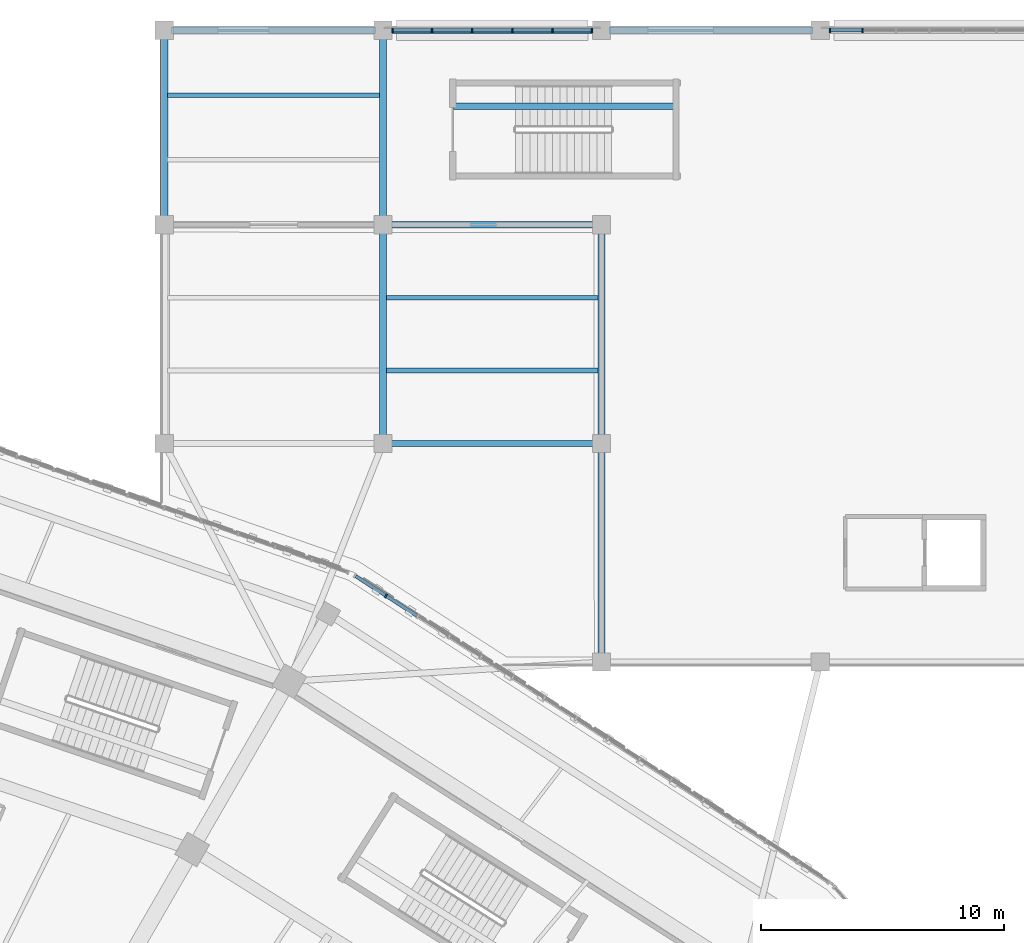
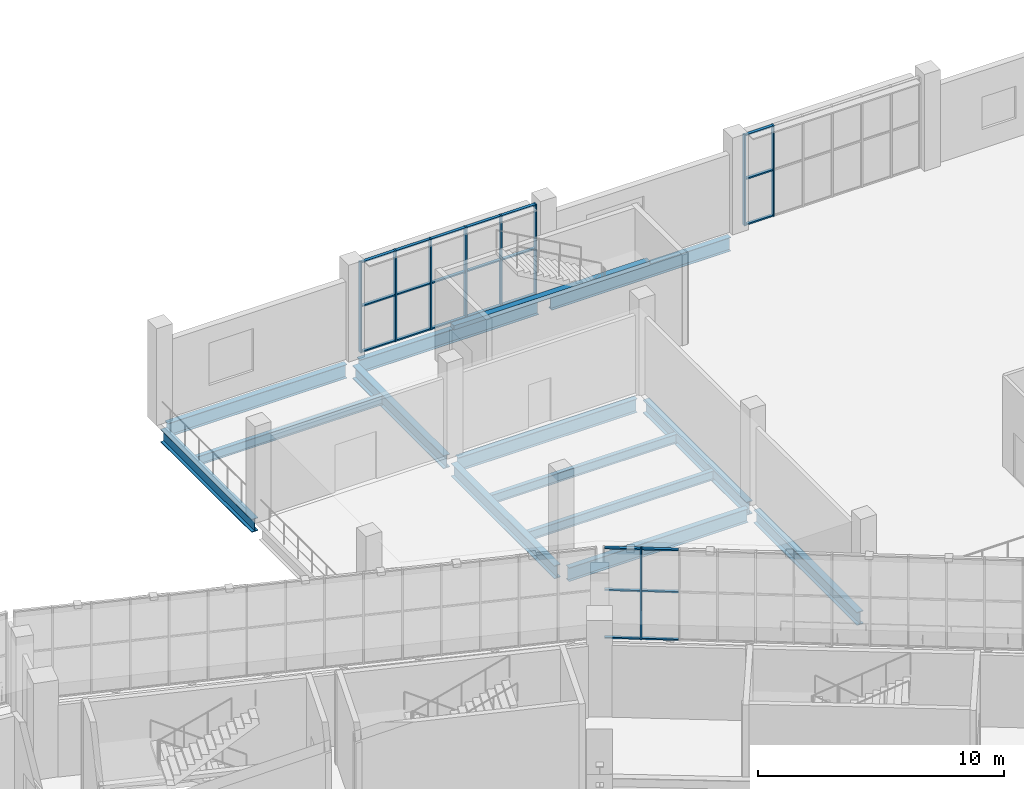
# One storey, part 69 of 179: 33 members, 14 beams, 3 elements without a shape of their own.
"""IFC4 building model written with IfcOpenShell, lengths in metres."""

from ifc_helpers import new_model, si_unit, direction, frame, origin, origin_2d, place, context, subcontext, project, spatial, rectangle, i_section, extrude, material, material_profile, profile_set, type_object, element, aggregate, save


model = new_model("IFC4")

# Units and contexts
model_context = context("Model", 3, precision=1e-05, world=origin(), true_north=direction((0.0, 1.0)))
body_context = subcontext(model_context, "Body", "Model", "MODEL_VIEW")
ifc_project = project(units=[si_unit("LENGTHUNIT", "METRE"), si_unit("AREAUNIT", "SQUARE_METRE"), si_unit("VOLUMEUNIT", "CUBIC_METRE"), si_unit("PLANEANGLEUNIT", "RADIAN"), si_unit("MASSUNIT", "GRAM", prefix="KILO")], contexts=[model_context])

# Site, building, storey
site_placement = place(None, origin())
site = spatial("IfcSite", under=ifc_project, at=site_placement, CompositionType="ELEMENT")
building_placement = place(site_placement, origin())
building = spatial("IfcBuilding", under=site, at=building_placement, Name="Zevraka Park Crest Stadium", CompositionType="ELEMENT")
storey_placement = place(building_placement, frame((0.0, 0.0, 10.199951171875)))
storey = spatial("IfcBuildingStorey", under=building, at=storey_placement, Name="L02", CompositionType="ELEMENT", Elevation=10.199951171875)

# Beams
ifc_material_1 = material(Name="Steel S355", Category="steel")
ifc_material_profile_1 = material_profile(ifc_material_1, i_section(OverallWidth=0.253662109375, OverallDepth=0.68359375, WebThickness=0.012451171875, FlangeThickness=0.01904296875, at=origin_2d()), Name="UKB 686x254x140")
ifc_profile_set_1 = profile_set([ifc_material_profile_1], Name="Steel S355")
beam_type_1 = type_object("IfcBeamType", Name="BG05", PredefinedType="BEAM", material=ifc_profile_set_1)
for number, where, z_axis, x_axis, name in (
    (1, (152.300048828125, 184.0, -0.629638671875), (1.0, 0.0, 0.0), (0.0, 1.0, 0.0), "Wing Girder BG05 L02-1718/W"),
    (2, (161.300048828125, 167.0, -0.629638671875), (1.0, 0.0, 0.0), (0.0, 1.0, 0.0), "Wing Girder BG05 L02-1819/U"),
    (3, (161.300048828125, 176.0, -0.629638671875), (1.0, 0.0, 0.0), (0.0, 1.0, 0.0), "Wing Girder BG05 L02-1819/V"),
    (4, (161.300048828125, 184.0, -0.629638671875), (1.0, 0.0, 0.0), (0.0, 1.0, 0.0), "Wing Girder BG05 L02-1819/W"),
    (5, (170.300048828125, 184.0, -0.629638671875), (1.0, 0.0, 0.0), (0.0, 1.0, 0.0), "Wing Girder BG05 L02-1920/W"),
):
    element("IfcBeam", number, at=place(storey_placement, frame(where, z_axis=z_axis, x_axis=x_axis)), inside=storey, type_object=beam_type_1, Name=name, PredefinedType="BEAM", context=body_context, shape_type="SweptSolid", body=[
        extrude(i_section(OverallWidth=0.253662109375, OverallDepth=0.68359375, WebThickness=0.012451171875, FlangeThickness=0.01904296875, at=origin_2d()), origin(), (0.0, 0.0, 1.0), 8.39990234375),
    ])
ifc_material_2 = material(Name="Steel S355", Category="steel")
ifc_material_profile_2 = material_profile(ifc_material_2, i_section(OverallWidth=0.300048828125, OverallDepth=0.64990234375, WebThickness=0.01611328125, FlangeThickness=0.031005859375, at=origin_2d()), Name="HEB 650")
ifc_profile_set_2 = profile_set([ifc_material_profile_2], Name="Steel S355")
beam_type_2 = type_object("IfcBeamType", Name="BG07", PredefinedType="BEAM", material=ifc_profile_set_2)
beam_1_placement = place(storey_placement, frame((152.0, 176.300048828125, -0.613037109375), z_axis=(0.0, 1.0, 0.0), x_axis=(-1.0, 0.0, 0.0)))
element("IfcBeam", 6, at=beam_1_placement, inside=storey, type_object=beam_type_2, Name="Wing Girder BG07 L02-17/VW", PredefinedType="BEAM", context=body_context, shape_type="SweptSolid", body=[
    extrude(i_section(OverallWidth=0.300048828125, OverallDepth=0.64990234375, WebThickness=0.01611328125, FlangeThickness=0.031005859375, at=origin_2d()), origin(), (0.0, 0.0, 1.0), 7.39990234375),
])
beam_2_placement = place(storey_placement, frame((161.0, 167.300048828125, -0.613037109375), z_axis=(0.0, 1.0, 0.0), x_axis=(-1.0, 0.0, 0.0)))
element("IfcBeam", 7, at=beam_2_placement, inside=storey, type_object=beam_type_2, Name="Wing Girder BG07 L02-18/UV", PredefinedType="BEAM", context=body_context, shape_type="SweptSolid", body=[
    extrude(i_section(OverallWidth=0.300048828125, OverallDepth=0.64990234375, WebThickness=0.01611328125, FlangeThickness=0.031005859375, at=origin_2d()), origin(), (0.0, 0.0, 1.0), 8.39990234375),
])
beam_3_placement = place(storey_placement, frame((161.0, 176.300048828125, -0.613037109375), z_axis=(0.0, 1.0, 0.0), x_axis=(-1.0, 0.0, 0.0)))
element("IfcBeam", 8, at=beam_3_placement, inside=storey, type_object=beam_type_2, Name="Wing Girder BG07 L02-18/VW", PredefinedType="BEAM", context=body_context, shape_type="SweptSolid", body=[
    extrude(i_section(OverallWidth=0.300048828125, OverallDepth=0.64990234375, WebThickness=0.01611328125, FlangeThickness=0.031005859375, at=origin_2d()), origin(), (0.0, 0.0, 1.0), 7.39990234375),
])
for number, where, z_axis, x_axis, name in (
    (9, (170.0, 158.300048828125, -0.613037109375), (0.0, 1.0, 0.0), (-1.0, 0.0, 0.0), "Wing Girder BG07 L02-19/TU"),
    (10, (170.0, 167.300048828125, -0.613037109375), (0.0, 1.0, 0.0), (-1.0, 0.0, 0.0), "Wing Girder BG07 L02-19/UV"),
):
    element("IfcBeam", number, at=place(storey_placement, frame(where, z_axis=z_axis, x_axis=x_axis)), inside=storey, type_object=beam_type_2, Name=name, PredefinedType="BEAM", context=body_context, shape_type="SweptSolid", body=[
        extrude(i_section(OverallWidth=0.300048828125, OverallDepth=0.64990234375, WebThickness=0.01611328125, FlangeThickness=0.031005859375, at=origin_2d()), origin(), (0.0, 0.0, 1.0), 8.39990234375),
    ])

# Curtain wall, member
ifc_material_3 = material(Name="Anodised architectural aluminium and laminated safety glass", Category="aluminium")
curtain_wall_type_1 = type_object("IfcCurtainWallType", Name="CW08", PredefinedType="NOTDEFINED", material=ifc_material_3)
curtain_wall_1_placement = place(storey_placement, origin())
curtain_wall_1 = element("IfcCurtainWall", 11, at=curtain_wall_1_placement, inside=storey, type_object=curtain_wall_type_1, Name="Unitised Ring Curtain Wall CW08 L02-03", PredefinedType="NOTDEFINED")
ifc_material_4 = material(Name="Anodised architectural aluminium", Category="aluminium")
ifc_material_profile_3 = material_profile(ifc_material_4, rectangle(XDim=0.179931640625, YDim=0.06494140625, at=origin_2d()), Name="ALU MULLION 180x65")
ifc_profile_set_3 = profile_set([ifc_material_profile_3], Name="Anodised architectural aluminium")
member_type_1 = type_object("IfcMemberType", Name="CM02", PredefinedType="MULLION", material=ifc_profile_set_3)
member_1_placement = place(storey_placement, frame((161.126953125, 160.729248046875, 0.0), z_axis=(0.0, 0.0, 1.0), x_axis=(-0.543096287444, -0.839670424967, 0.0)))
member_1 = element("IfcMember", 12, at=member_1_placement, type_object=member_type_1, Name="CW08 mullion 15", PredefinedType="MULLION", context=body_context, shape_type="SweptSolid", body=[
    extrude(rectangle(XDim=0.179931640625, YDim=0.06494140625, at=origin_2d()), origin(), (0.0, 0.0, 1.0), 4.5),
])

# Curtain wall, members
ifc_material_5 = material(Name="Anodised architectural aluminium and laminated safety glass", Category="aluminium")
curtain_wall_type_2 = type_object("IfcCurtainWallType", Name="CW29", PredefinedType="NOTDEFINED", material=ifc_material_5)
curtain_wall_2_placement = place(storey_placement, origin())
curtain_wall_2 = element("IfcCurtainWall", 13, at=curtain_wall_2_placement, inside=storey, type_object=curtain_wall_type_2, Name="Wing Curtain Wall CW29 L02-NGATE-N-2", PredefinedType="NOTDEFINED")
member_2_placement = place(storey_placement, frame((161.3974609375, 184.0, 0.0), z_axis=(0.0, 0.0, 1.0), x_axis=(0.0, 1.0, 0.0)))
member_2 = element("IfcMember", 14, at=member_2_placement, type_object=member_type_1, Name="CW29 mullion 1", PredefinedType="MULLION", context=body_context, shape_type="SweptSolid", body=[
    extrude(rectangle(XDim=0.179931640625, YDim=0.06494140625, at=origin_2d()), origin(), (0.0, 0.0, 1.0), 4.5),
])
member_3_placement = place(storey_placement, frame((163.01904296875, 184.0, 0.0), z_axis=(0.0, 0.0, 1.0), x_axis=(0.0, 1.0, 0.0)))
member_3 = element("IfcMember", 15, at=member_3_placement, type_object=member_type_1, Name="CW29 mullion 2", PredefinedType="MULLION", context=body_context, shape_type="SweptSolid", body=[
    extrude(rectangle(XDim=0.179931640625, YDim=0.06494140625, at=origin_2d()), origin(), (0.0, 0.0, 1.0), 4.5),
])
member_4_placement = place(storey_placement, frame((164.673095703125, 184.0, 0.0), z_axis=(0.0, 0.0, 1.0), x_axis=(0.0, 1.0, 0.0)))
member_4 = element("IfcMember", 16, at=member_4_placement, type_object=member_type_1, Name="CW29 mullion 3", PredefinedType="MULLION", context=body_context, shape_type="SweptSolid", body=[
    extrude(rectangle(XDim=0.179931640625, YDim=0.06494140625, at=origin_2d()), origin(), (0.0, 0.0, 1.0), 4.5),
])
member_5_placement = place(storey_placement, frame((166.326904296875, 184.0, 0.0), z_axis=(0.0, 0.0, 1.0), x_axis=(0.0, 1.0, 0.0)))
member_5 = element("IfcMember", 17, at=member_5_placement, type_object=member_type_1, Name="CW29 mullion 4", PredefinedType="MULLION", context=body_context, shape_type="SweptSolid", body=[
    extrude(rectangle(XDim=0.179931640625, YDim=0.06494140625, at=origin_2d()), origin(), (0.0, 0.0, 1.0), 4.5),
])
member_6_placement = place(storey_placement, frame((167.98095703125, 184.0, 0.0), z_axis=(0.0, 0.0, 1.0), x_axis=(0.0, 1.0, 0.0)))
member_6 = element("IfcMember", 18, at=member_6_placement, type_object=member_type_1, Name="CW29 mullion 5", PredefinedType="MULLION", context=body_context, shape_type="SweptSolid", body=[
    extrude(rectangle(XDim=0.179931640625, YDim=0.06494140625, at=origin_2d()), origin(), (0.0, 0.0, 1.0), 4.5),
])
member_7_placement = place(storey_placement, frame((169.6025390625, 184.0, 0.0), z_axis=(0.0, 0.0, 1.0), x_axis=(0.0, 1.0, 0.0)))
member_7 = element("IfcMember", 19, at=member_7_placement, type_object=member_type_1, Name="CW29 mullion 6", PredefinedType="MULLION", context=body_context, shape_type="SweptSolid", body=[
    extrude(rectangle(XDim=0.179931640625, YDim=0.06494140625, at=origin_2d()), origin(), (0.0, 0.0, 1.0), 4.5),
])

ifc_material_6 = material(Name="Anodised architectural aluminium and laminated safety glass", Category="aluminium")
curtain_wall_type_3 = type_object("IfcCurtainWallType", Name="CW26", PredefinedType="NOTDEFINED", material=ifc_material_6)
curtain_wall_3_placement = place(storey_placement, origin())
curtain_wall_3 = element("IfcCurtainWall", 20, at=curtain_wall_3_placement, inside=storey, type_object=curtain_wall_type_3, Name="Wing Curtain Wall CW26 L02-NGATE-N-4", PredefinedType="NOTDEFINED")
member_8_placement = place(storey_placement, frame((179.3974609375, 184.0, 0.0), z_axis=(0.0, 0.0, 1.0), x_axis=(0.0, 1.0, 0.0)))
member_8 = element("IfcMember", 21, at=member_8_placement, type_object=member_type_1, Name="CW26 mullion 1", PredefinedType="MULLION", context=body_context, shape_type="SweptSolid", body=[
    extrude(rectangle(XDim=0.179931640625, YDim=0.06494140625, at=origin_2d()), origin(), (0.0, 0.0, 1.0), 4.5),
])
member_9_placement = place(storey_placement, frame((180.743408203125, 184.0, 0.0), z_axis=(0.0, 0.0, 1.0), x_axis=(0.0, 1.0, 0.0)))
member_9 = element("IfcMember", 22, at=member_9_placement, type_object=member_type_1, Name="CW26 mullion 2", PredefinedType="MULLION", context=body_context, shape_type="SweptSolid", body=[
    extrude(rectangle(XDim=0.179931640625, YDim=0.06494140625, at=origin_2d()), origin(), (0.0, 0.0, 1.0), 4.5),
])

# Member
ifc_material_7 = material(Name="Anodised architectural aluminium", Category="aluminium")
ifc_material_profile_4 = material_profile(ifc_material_7, rectangle(XDim=0.139892578125, YDim=0.06494140625, at=origin_2d()), Name="ALU TRANSOM 140x65")
ifc_profile_set_4 = profile_set([ifc_material_profile_4], Name="Anodised architectural aluminium")
member_type_2 = type_object("IfcMemberType", Name="CT02", PredefinedType="USERDEFINED", material=ifc_profile_set_4)
member_10_placement = place(storey_placement, frame((162.402587890625, 159.904296875, 0.032470703125), z_axis=(-0.839675885301, 0.543087845236, 0.0), x_axis=(-0.543087845236, -0.839675885301, 0.0)))
member_10 = element("IfcMember", 23, at=member_10_placement, type_object=member_type_2, Name="CW08 transom 14.1", ObjectType="TRANSOM", PredefinedType="USERDEFINED", context=body_context, shape_type="SweptSolid", body=[
    extrude(rectangle(XDim=0.139892578125, YDim=0.06494140625, at=origin_2d()), origin(), (0.0, 0.0, 1.0), 1.486572265625),
])

member_11_placement = place(storey_placement, frame((162.402587890625, 159.904296875, 2.400146484375), z_axis=(-0.839675885301, 0.543087845236, 0.0), x_axis=(-0.543087845236, -0.839675885301, 0.0)))
member_11 = element("IfcMember", 24, at=member_11_placement, type_object=member_type_2, Name="CW08 transom 14.2", ObjectType="TRANSOM", PredefinedType="USERDEFINED", context=body_context, shape_type="SweptSolid", body=[
    extrude(rectangle(XDim=0.139892578125, YDim=0.06494140625, at=origin_2d()), origin(), (0.0, 0.0, 1.0), 1.486572265625),
])

member_12_placement = place(storey_placement, frame((162.402587890625, 159.904296875, 4.467529296875), z_axis=(-0.839675885301, 0.543087845236, 0.0), x_axis=(-0.543087845236, -0.839675885301, 0.0)))
member_12 = element("IfcMember", 25, at=member_12_placement, type_object=member_type_2, Name="CW08 transom 14.3", ObjectType="TRANSOM", PredefinedType="USERDEFINED", context=body_context, shape_type="SweptSolid", body=[
    extrude(rectangle(XDim=0.139892578125, YDim=0.06494140625, at=origin_2d()), origin(), (0.0, 0.0, 1.0), 1.486572265625),
])

member_13_placement = place(storey_placement, frame((161.099609375, 160.746826171875, 0.032470703125), z_axis=(-0.839642221706, 0.543139889466, 0.0), x_axis=(-0.543139889466, -0.839642221706, 0.0)))
member_13 = element("IfcMember", 26, at=member_13_placement, type_object=member_type_2, Name="CW08 transom 15.1", ObjectType="TRANSOM", PredefinedType="USERDEFINED", context=body_context, shape_type="SweptSolid", body=[
    extrude(rectangle(XDim=0.139892578125, YDim=0.06494140625, at=origin_2d()), origin(), (0.0, 0.0, 1.0), 1.4541015625),
])

member_14_placement = place(storey_placement, frame((161.099609375, 160.746826171875, 2.400146484375), z_axis=(-0.839642221706, 0.543139889466, 0.0), x_axis=(-0.543139889466, -0.839642221706, 0.0)))
member_14 = element("IfcMember", 27, at=member_14_placement, type_object=member_type_2, Name="CW08 transom 15.2", ObjectType="TRANSOM", PredefinedType="USERDEFINED", context=body_context, shape_type="SweptSolid", body=[
    extrude(rectangle(XDim=0.139892578125, YDim=0.06494140625, at=origin_2d()), origin(), (0.0, 0.0, 1.0), 1.4541015625),
])

member_15_placement = place(storey_placement, frame((161.099609375, 160.746826171875, 4.467529296875), z_axis=(-0.839642221706, 0.543139889466, 0.0), x_axis=(-0.543139889466, -0.839642221706, 0.0)))
member_15 = element("IfcMember", 28, at=member_15_placement, type_object=member_type_2, Name="CW08 transom 15.3", ObjectType="TRANSOM", PredefinedType="USERDEFINED", context=body_context, shape_type="SweptSolid", body=[
    extrude(rectangle(XDim=0.139892578125, YDim=0.06494140625, at=origin_2d()), origin(), (0.0, 0.0, 1.0), 1.4541015625),
])

aggregate(curtain_wall_1, [member_1, member_10, member_11, member_12, member_13, member_14, member_15])

member_16_placement = place(storey_placement, frame((161.429931640625, 184.0, 0.032470703125), z_axis=(1.0, 0.0, 0.0), x_axis=(0.0, 1.0, 0.0)))
member_16 = element("IfcMember", 29, at=member_16_placement, type_object=member_type_2, Name="CW29 transom 1.1", ObjectType="TRANSOM", PredefinedType="USERDEFINED", context=body_context, shape_type="SweptSolid", body=[
    extrude(rectangle(XDim=0.139892578125, YDim=0.06494140625, at=origin_2d()), origin(), (0.0, 0.0, 1.0), 1.556640625),
])

member_17_placement = place(storey_placement, frame((161.429931640625, 184.0, 2.300048828125), z_axis=(1.0, 0.0, 0.0), x_axis=(0.0, 1.0, 0.0)))
member_17 = element("IfcMember", 30, at=member_17_placement, type_object=member_type_2, Name="CW29 transom 1.2", ObjectType="TRANSOM", PredefinedType="USERDEFINED", context=body_context, shape_type="SweptSolid", body=[
    extrude(rectangle(XDim=0.139892578125, YDim=0.06494140625, at=origin_2d()), origin(), (0.0, 0.0, 1.0), 1.556640625),
])

member_18_placement = place(storey_placement, frame((161.429931640625, 184.0, 4.467529296875), z_axis=(1.0, 0.0, 0.0), x_axis=(0.0, 1.0, 0.0)))
member_18 = element("IfcMember", 31, at=member_18_placement, type_object=member_type_2, Name="CW29 transom 1.3", ObjectType="TRANSOM", PredefinedType="USERDEFINED", context=body_context, shape_type="SweptSolid", body=[
    extrude(rectangle(XDim=0.139892578125, YDim=0.06494140625, at=origin_2d()), origin(), (0.0, 0.0, 1.0), 1.556640625),
])

member_19_placement = place(storey_placement, frame((163.051513671875, 184.0, 0.032470703125), z_axis=(1.0, 0.0, 0.0), x_axis=(0.0, 1.0, 0.0)))
member_19 = element("IfcMember", 32, at=member_19_placement, type_object=member_type_2, Name="CW29 transom 2.1", ObjectType="TRANSOM", PredefinedType="USERDEFINED", context=body_context, shape_type="SweptSolid", body=[
    extrude(rectangle(XDim=0.139892578125, YDim=0.06494140625, at=origin_2d()), origin(), (0.0, 0.0, 1.0), 1.5888671875),
])

member_20_placement = place(storey_placement, frame((163.051513671875, 184.0, 2.300048828125), z_axis=(1.0, 0.0, 0.0), x_axis=(0.0, 1.0, 0.0)))
member_20 = element("IfcMember", 33, at=member_20_placement, type_object=member_type_2, Name="CW29 transom 2.2", ObjectType="TRANSOM", PredefinedType="USERDEFINED", context=body_context, shape_type="SweptSolid", body=[
    extrude(rectangle(XDim=0.139892578125, YDim=0.06494140625, at=origin_2d()), origin(), (0.0, 0.0, 1.0), 1.5888671875),
])

member_21_placement = place(storey_placement, frame((163.051513671875, 184.0, 4.467529296875), z_axis=(1.0, 0.0, 0.0), x_axis=(0.0, 1.0, 0.0)))
member_21 = element("IfcMember", 34, at=member_21_placement, type_object=member_type_2, Name="CW29 transom 2.3", ObjectType="TRANSOM", PredefinedType="USERDEFINED", context=body_context, shape_type="SweptSolid", body=[
    extrude(rectangle(XDim=0.139892578125, YDim=0.06494140625, at=origin_2d()), origin(), (0.0, 0.0, 1.0), 1.5888671875),
])

member_22_placement = place(storey_placement, frame((164.70556640625, 184.0, 0.032470703125), z_axis=(1.0, 0.0, 0.0), x_axis=(0.0, 1.0, 0.0)))
member_22 = element("IfcMember", 35, at=member_22_placement, type_object=member_type_2, Name="CW29 transom 3.1", ObjectType="TRANSOM", PredefinedType="USERDEFINED", context=body_context, shape_type="SweptSolid", body=[
    extrude(rectangle(XDim=0.139892578125, YDim=0.06494140625, at=origin_2d()), origin(), (0.0, 0.0, 1.0), 1.5888671875),
])

member_23_placement = place(storey_placement, frame((164.70556640625, 184.0, 2.300048828125), z_axis=(1.0, 0.0, 0.0), x_axis=(0.0, 1.0, 0.0)))
member_23 = element("IfcMember", 36, at=member_23_placement, type_object=member_type_2, Name="CW29 transom 3.2", ObjectType="TRANSOM", PredefinedType="USERDEFINED", context=body_context, shape_type="SweptSolid", body=[
    extrude(rectangle(XDim=0.139892578125, YDim=0.06494140625, at=origin_2d()), origin(), (0.0, 0.0, 1.0), 1.5888671875),
])

member_24_placement = place(storey_placement, frame((164.70556640625, 184.0, 4.467529296875), z_axis=(1.0, 0.0, 0.0), x_axis=(0.0, 1.0, 0.0)))
member_24 = element("IfcMember", 37, at=member_24_placement, type_object=member_type_2, Name="CW29 transom 3.3", ObjectType="TRANSOM", PredefinedType="USERDEFINED", context=body_context, shape_type="SweptSolid", body=[
    extrude(rectangle(XDim=0.139892578125, YDim=0.06494140625, at=origin_2d()), origin(), (0.0, 0.0, 1.0), 1.5888671875),
])

member_25_placement = place(storey_placement, frame((166.359619140625, 184.0, 0.032470703125), z_axis=(1.0, 0.0, 0.0), x_axis=(0.0, 1.0, 0.0)))
member_25 = element("IfcMember", 38, at=member_25_placement, type_object=member_type_2, Name="CW29 transom 4.1", ObjectType="TRANSOM", PredefinedType="USERDEFINED", context=body_context, shape_type="SweptSolid", body=[
    extrude(rectangle(XDim=0.139892578125, YDim=0.06494140625, at=origin_2d()), origin(), (0.0, 0.0, 1.0), 1.5888671875),
])

member_26_placement = place(storey_placement, frame((166.359619140625, 184.0, 2.300048828125), z_axis=(1.0, 0.0, 0.0), x_axis=(0.0, 1.0, 0.0)))
member_26 = element("IfcMember", 39, at=member_26_placement, type_object=member_type_2, Name="CW29 transom 4.2", ObjectType="TRANSOM", PredefinedType="USERDEFINED", context=body_context, shape_type="SweptSolid", body=[
    extrude(rectangle(XDim=0.139892578125, YDim=0.06494140625, at=origin_2d()), origin(), (0.0, 0.0, 1.0), 1.5888671875),
])

member_27_placement = place(storey_placement, frame((166.359619140625, 184.0, 4.467529296875), z_axis=(1.0, 0.0, 0.0), x_axis=(0.0, 1.0, 0.0)))
member_27 = element("IfcMember", 40, at=member_27_placement, type_object=member_type_2, Name="CW29 transom 4.3", ObjectType="TRANSOM", PredefinedType="USERDEFINED", context=body_context, shape_type="SweptSolid", body=[
    extrude(rectangle(XDim=0.139892578125, YDim=0.06494140625, at=origin_2d()), origin(), (0.0, 0.0, 1.0), 1.5888671875),
])

member_28_placement = place(storey_placement, frame((168.013427734375, 184.0, 0.032470703125), z_axis=(1.0, 0.0, 0.0), x_axis=(0.0, 1.0, 0.0)))
member_28 = element("IfcMember", 41, at=member_28_placement, type_object=member_type_2, Name="CW29 transom 5.1", ObjectType="TRANSOM", PredefinedType="USERDEFINED", context=body_context, shape_type="SweptSolid", body=[
    extrude(rectangle(XDim=0.139892578125, YDim=0.06494140625, at=origin_2d()), origin(), (0.0, 0.0, 1.0), 1.556640625),
])

member_29_placement = place(storey_placement, frame((168.013427734375, 184.0, 2.300048828125), z_axis=(1.0, 0.0, 0.0), x_axis=(0.0, 1.0, 0.0)))
member_29 = element("IfcMember", 42, at=member_29_placement, type_object=member_type_2, Name="CW29 transom 5.2", ObjectType="TRANSOM", PredefinedType="USERDEFINED", context=body_context, shape_type="SweptSolid", body=[
    extrude(rectangle(XDim=0.139892578125, YDim=0.06494140625, at=origin_2d()), origin(), (0.0, 0.0, 1.0), 1.556640625),
])

member_30_placement = place(storey_placement, frame((168.013427734375, 184.0, 4.467529296875), z_axis=(1.0, 0.0, 0.0), x_axis=(0.0, 1.0, 0.0)))
member_30 = element("IfcMember", 43, at=member_30_placement, type_object=member_type_2, Name="CW29 transom 5.3", ObjectType="TRANSOM", PredefinedType="USERDEFINED", context=body_context, shape_type="SweptSolid", body=[
    extrude(rectangle(XDim=0.139892578125, YDim=0.06494140625, at=origin_2d()), origin(), (0.0, 0.0, 1.0), 1.556640625),
])

aggregate(curtain_wall_2, [member_2, member_3, member_4, member_5, member_6, member_7, member_16, member_17, member_18, member_19, member_20, member_21, member_22, member_23, member_24, member_25, member_26, member_27, member_28, member_29, member_30])

member_31_placement = place(storey_placement, frame((179.429931640625, 184.0, 0.032470703125), z_axis=(1.0, 0.0, 0.0), x_axis=(0.0, 1.0, 0.0)))
member_31 = element("IfcMember", 44, at=member_31_placement, type_object=member_type_2, Name="CW26 transom 1.1", ObjectType="TRANSOM", PredefinedType="USERDEFINED", context=body_context, shape_type="SweptSolid", body=[
    extrude(rectangle(XDim=0.139892578125, YDim=0.06494140625, at=origin_2d()), origin(), (0.0, 0.0, 1.0), 1.281005859375),
])

member_32_placement = place(storey_placement, frame((179.429931640625, 184.0, 2.300048828125), z_axis=(1.0, 0.0, 0.0), x_axis=(0.0, 1.0, 0.0)))
member_32 = element("IfcMember", 45, at=member_32_placement, type_object=member_type_2, Name="CW26 transom 1.2", ObjectType="TRANSOM", PredefinedType="USERDEFINED", context=body_context, shape_type="SweptSolid", body=[
    extrude(rectangle(XDim=0.139892578125, YDim=0.06494140625, at=origin_2d()), origin(), (0.0, 0.0, 1.0), 1.281005859375),
])

member_33_placement = place(storey_placement, frame((179.429931640625, 184.0, 4.467529296875), z_axis=(1.0, 0.0, 0.0), x_axis=(0.0, 1.0, 0.0)))
member_33 = element("IfcMember", 46, at=member_33_placement, type_object=member_type_2, Name="CW26 transom 1.3", ObjectType="TRANSOM", PredefinedType="USERDEFINED", context=body_context, shape_type="SweptSolid", body=[
    extrude(rectangle(XDim=0.139892578125, YDim=0.06494140625, at=origin_2d()), origin(), (0.0, 0.0, 1.0), 1.281005859375),
])

aggregate(curtain_wall_3, [member_8, member_9, member_31, member_32, member_33])

# Beams
ifc_material_8 = material(Name="Steel S355", Category="steel")
ifc_material_profile_5 = material_profile(ifc_material_8, i_section(OverallWidth=0.18994140625, OverallDepth=0.45703125, WebThickness=0.009033203125, FlangeThickness=0.014404296875, at=origin_2d()), Name="UKB 457x191x74")
ifc_profile_set_5 = profile_set([ifc_material_profile_5], Name="Steel S355")
beam_type_3 = type_object("IfcBeamType", Name="SJ12", PredefinedType="JOIST", material=ifc_profile_set_5)
for number, where, z_axis, x_axis, name in (
    (47, (152.14501953125, 181.3330078125, -0.5185546875), (1.0, 0.0, 0.0), (0.0, 1.0, 0.0), "Wing Joist SJ12 L02-17/V-2"),
    (48, (161.14501953125, 170.0, -0.5185546875), (1.0, 0.0, 0.0), (0.0, 1.0, 0.0), "Wing Joist SJ12 L02-18/U-1"),
    (49, (161.14501953125, 173.0, -0.5185546875), (1.0, 0.0, 0.0), (0.0, 1.0, 0.0), "Wing Joist SJ12 L02-18/U-2"),
):
    element("IfcBeam", number, at=place(storey_placement, frame(where, z_axis=z_axis, x_axis=x_axis)), inside=storey, type_object=beam_type_3, Name=name, PredefinedType="JOIST", context=body_context, shape_type="SweptSolid", body=[
        extrude(i_section(OverallWidth=0.18994140625, OverallDepth=0.45703125, WebThickness=0.009033203125, FlangeThickness=0.014404296875, at=origin_2d()), origin(), (0.0, 0.0, 1.0), 8.7099609375),
    ])
ifc_material_9 = material(Name="Concrete C40/50", Category="concrete")
ifc_material_profile_6 = material_profile(ifc_material_9, rectangle(XDim=0.280029296875, YDim=0.199951171875, at=origin_2d()), Name="RC 200x280")
ifc_profile_set_6 = profile_set([ifc_material_profile_6], Name="Concrete C40/50")
beam_type_4 = type_object("IfcBeamType", Name="SJ13", PredefinedType="JOIST", material=ifc_profile_set_6)
beam_4_placement = place(storey_placement, frame((163.89990234375, 180.875, 2.300048828125), z_axis=(1.0, 0.0, 0.0), x_axis=(0.0, 1.0, 0.0)))
element("IfcBeam", 50, at=beam_4_placement, inside=storey, type_object=beam_type_4, Name="Stair Upper-Flight Longitudinal Stringer SJ13 ST46-L02", PredefinedType="JOIST", context=body_context, shape_type="SweptSolid", body=[
    extrude(rectangle(XDim=0.280029296875, YDim=0.199951171875, at=origin_2d()), origin(), (0.0, 0.0, 1.0), 9.2001953125),
])

save(model, "model.ifc")
